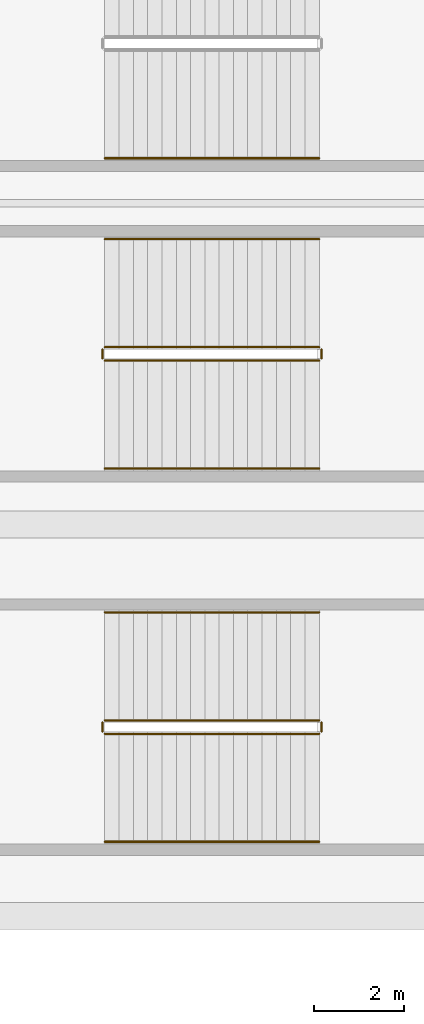
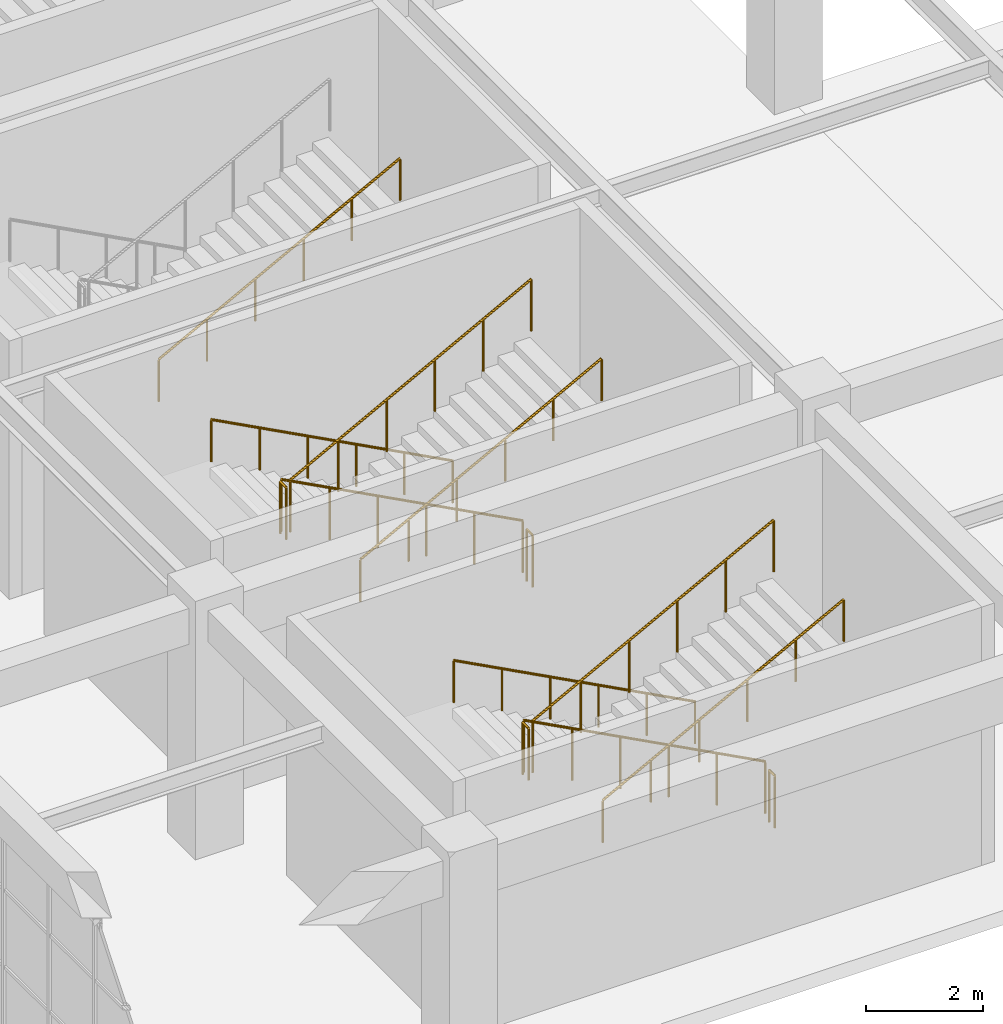
# One storey, part 91 of 120: 13 railings.
"""IFC4 building model written with IfcOpenShell, lengths in metres."""

from ifc_helpers import new_model, si_unit, direction, frame, origin, origin_2d, place, context, subcontext, project, spatial, circle, extrude, material, type_object, element, save


model = new_model("IFC4")

# Units and contexts
model_context = context("Model", 3, precision=1e-05, world=origin(), true_north=direction((0.0, 1.0)))
body_context = subcontext(model_context, "Body", "Model", "MODEL_VIEW")
ifc_project = project(units=[si_unit("LENGTHUNIT", "METRE"), si_unit("AREAUNIT", "SQUARE_METRE"), si_unit("VOLUMEUNIT", "CUBIC_METRE"), si_unit("PLANEANGLEUNIT", "RADIAN"), si_unit("MASSUNIT", "GRAM", prefix="KILO")], contexts=[model_context])

# Site, building, storey
site_placement = place(None, origin())
site = spatial("IfcSite", under=ifc_project, at=site_placement, CompositionType="ELEMENT")
building_placement = place(site_placement, origin())
building = spatial("IfcBuilding", under=site, at=building_placement, Name="Cuetzalor Civic Arena", CompositionType="ELEMENT")
storey_placement = place(building_placement, frame((0.0, 0.0, 6.0)))
storey = spatial("IfcBuildingStorey", under=building, at=storey_placement, Name="L01", CompositionType="ELEMENT", Elevation=6.0)

# Railings
ifc_material_1 = material(Name="Reseda-green architectural Steel S355 balustrade", Category="steel")
railing_type_1 = type_object("IfcRailingType", Name="InteriorVoidBalustrade_1100", PredefinedType="BALUSTRADE", material=ifc_material_1)
railing_1_placement = place(storey_placement, frame((-67.449951171875, -52.64990234375, 0.168701171875)))
element("IfcRailing", 1, at=railing_1_placement, inside=storey, type_object=railing_type_1, Name="L01 ST-13 stair guard 1", PredefinedType="BALUSTRADE", context=body_context, shape_type="SweptSolid", body=[
    extrude(circle(Radius=0.02392578125, at=origin_2d()), frame((0.0, 0.0, 1.0810546875), z_axis=(-0.883332211103, 0.0, 0.468747485143), x_axis=(0.0, -1.0, 0.0)), (0.0, 0.0, 1.0), 5.400146484375),
    extrude(circle(Radius=0.02099609375, at=origin_2d()), origin(), (0.0, 0.0, 1.0), 1.056884765625),
    extrude(circle(Radius=0.02099609375, at=origin_2d()), frame((-0.9541015625, 0.0, 0.50634765625)), (0.0, 0.0, 1.0), 1.056884765625),
    extrude(circle(Radius=0.02099609375, at=origin_2d()), frame((-1.907958984375, 0.0, 1.012451171875)), (0.0, 0.0, 1.0), 1.056884765625),
    extrude(circle(Radius=0.02099609375, at=origin_2d()), frame((-2.862060546875, 0.0, 1.518798828125)), (0.0, 0.0, 1.0), 1.056884765625),
    extrude(circle(Radius=0.02099609375, at=origin_2d()), frame((-3.81591796875, 0.0, 2.02490234375)), (0.0, 0.0, 1.0), 1.056884765625),
    extrude(circle(Radius=0.02099609375, at=origin_2d()), frame((-4.77001953125, 0.0, 2.53125)), (0.0, 0.0, 1.0), 1.056884765625),
])
railing_2_placement = place(storey_placement, frame((-72.27001953125, -52.699951171875, 2.699951171875)))
element("IfcRailing", 2, at=railing_2_placement, inside=storey, type_object=railing_type_1, Name="L01 ST-13 stair guard 2", PredefinedType="BALUSTRADE", context=body_context, shape_type="SweptSolid", body=[
    extrude(circle(Radius=0.02392578125, at=origin_2d()), frame((0.0, 0.0, 1.0810546875), z_axis=(0.0, -1.0, 0.0), x_axis=(1.0, 0.0, 0.0)), (0.0, 0.0, 1.0), 0.199951171875),
    extrude(circle(Radius=0.02099609375, at=origin_2d()), origin(), (0.0, 0.0, 1.0), 1.056884765625),
    extrude(circle(Radius=0.02099609375, at=origin_2d()), frame((0.0, -0.199951171875, 0.0)), (0.0, 0.0, 1.0), 1.056884765625),
])
railing_3_placement = place(storey_placement, frame((-72.219970703125, -52.949951171875, 2.86865234375)))
element("IfcRailing", 3, at=railing_3_placement, inside=storey, type_object=railing_type_1, Name="L01 ST-13 stair guard 3", PredefinedType="BALUSTRADE", context=body_context, shape_type="SweptSolid", body=[
    extrude(circle(Radius=0.02392578125, at=origin_2d()), frame((0.0, 0.0, 1.0810546875), z_axis=(0.883332211103, 0.0, 0.468747485143), x_axis=(0.0, 1.0, 0.0)), (0.0, 0.0, 1.0), 5.400146484375),
    extrude(circle(Radius=0.02099609375, at=origin_2d()), origin(), (0.0, 0.0, 1.0), 1.056884765625),
    extrude(circle(Radius=0.02099609375, at=origin_2d()), frame((0.9541015625, 0.0, 0.50634765625)), (0.0, 0.0, 1.0), 1.056884765625),
    extrude(circle(Radius=0.02099609375, at=origin_2d()), frame((1.907958984375, 0.0, 1.012451171875)), (0.0, 0.0, 1.0), 1.056884765625),
    extrude(circle(Radius=0.02099609375, at=origin_2d()), frame((2.862060546875, 0.0, 1.518798828125)), (0.0, 0.0, 1.0), 1.056884765625),
    extrude(circle(Radius=0.02099609375, at=origin_2d()), frame((3.81591796875, 0.0, 2.02490234375)), (0.0, 0.0, 1.0), 1.056884765625),
    extrude(circle(Radius=0.02099609375, at=origin_2d()), frame((4.77001953125, 0.0, 2.53125)), (0.0, 0.0, 1.0), 1.056884765625),
])
railing_4_placement = place(storey_placement, frame((-67.39990234375, -52.699951171875, 0.0)))
element("IfcRailing", 4, at=railing_4_placement, inside=storey, type_object=railing_type_1, Name="L01 ST-13 stair guard 4", PredefinedType="BALUSTRADE", context=body_context, shape_type="SweptSolid", body=[
    extrude(circle(Radius=0.02392578125, at=origin_2d()), frame((0.0, 0.0, 1.0810546875), z_axis=(0.0, -1.0, 0.0), x_axis=(1.0, 0.0, 0.0)), (0.0, 0.0, 1.0), 0.199951171875),
    extrude(circle(Radius=0.02099609375, at=origin_2d()), origin(), (0.0, 0.0, 1.0), 1.056884765625),
    extrude(circle(Radius=0.02099609375, at=origin_2d()), frame((0.0, -0.199951171875, 0.0)), (0.0, 0.0, 1.0), 1.056884765625),
])
railing_5_placement = place(storey_placement, frame((-67.449951171875, -44.35009765625, 0.168701171875)))
element("IfcRailing", 5, at=railing_5_placement, inside=storey, type_object=railing_type_1, Name="L01 ST-14 stair guard 1", PredefinedType="BALUSTRADE", context=body_context, shape_type="SweptSolid", body=[
    extrude(circle(Radius=0.02392578125, at=origin_2d()), frame((0.0, 0.0, 1.0810546875), z_axis=(-0.883332211103, 0.0, 0.468747485143), x_axis=(0.0, -1.0, 0.0)), (0.0, 0.0, 1.0), 5.400146484375),
    extrude(circle(Radius=0.02099609375, at=origin_2d()), origin(), (0.0, 0.0, 1.0), 1.056884765625),
    extrude(circle(Radius=0.02099609375, at=origin_2d()), frame((-0.9541015625, 0.0, 0.50634765625)), (0.0, 0.0, 1.0), 1.056884765625),
    extrude(circle(Radius=0.02099609375, at=origin_2d()), frame((-1.907958984375, 0.0, 1.012451171875)), (0.0, 0.0, 1.0), 1.056884765625),
    extrude(circle(Radius=0.02099609375, at=origin_2d()), frame((-2.862060546875, 0.0, 1.518798828125)), (0.0, 0.0, 1.0), 1.056884765625),
    extrude(circle(Radius=0.02099609375, at=origin_2d()), frame((-3.81591796875, 0.0, 2.02490234375)), (0.0, 0.0, 1.0), 1.056884765625),
    extrude(circle(Radius=0.02099609375, at=origin_2d()), frame((-4.77001953125, 0.0, 2.53125)), (0.0, 0.0, 1.0), 1.056884765625),
])
railing_6_placement = place(storey_placement, frame((-72.27001953125, -44.39990234375, 2.699951171875)))
element("IfcRailing", 6, at=railing_6_placement, inside=storey, type_object=railing_type_1, Name="L01 ST-14 stair guard 2", PredefinedType="BALUSTRADE", context=body_context, shape_type="SweptSolid", body=[
    extrude(circle(Radius=0.02392578125, at=origin_2d()), frame((0.0, 0.0, 1.0810546875), z_axis=(0.0, -1.0, 0.0), x_axis=(1.0, 0.0, 0.0)), (0.0, 0.0, 1.0), 0.2001953125),
    extrude(circle(Radius=0.02099609375, at=origin_2d()), origin(), (0.0, 0.0, 1.0), 1.056884765625),
    extrude(circle(Radius=0.02099609375, at=origin_2d()), frame((0.0, -0.2001953125, 0.0)), (0.0, 0.0, 1.0), 1.056884765625),
])
railing_7_placement = place(storey_placement, frame((-72.219970703125, -44.64990234375, 2.86865234375)))
element("IfcRailing", 7, at=railing_7_placement, inside=storey, type_object=railing_type_1, Name="L01 ST-14 stair guard 3", PredefinedType="BALUSTRADE", context=body_context, shape_type="SweptSolid", body=[
    extrude(circle(Radius=0.02392578125, at=origin_2d()), frame((0.0, 0.0, 1.0810546875), z_axis=(0.883332211103, 0.0, 0.468747485143), x_axis=(0.0, 1.0, 0.0)), (0.0, 0.0, 1.0), 5.400146484375),
    extrude(circle(Radius=0.02099609375, at=origin_2d()), origin(), (0.0, 0.0, 1.0), 1.056884765625),
    extrude(circle(Radius=0.02099609375, at=origin_2d()), frame((0.9541015625, 0.0, 0.50634765625)), (0.0, 0.0, 1.0), 1.056884765625),
    extrude(circle(Radius=0.02099609375, at=origin_2d()), frame((1.907958984375, 0.0, 1.012451171875)), (0.0, 0.0, 1.0), 1.056884765625),
    extrude(circle(Radius=0.02099609375, at=origin_2d()), frame((2.862060546875, 0.0, 1.518798828125)), (0.0, 0.0, 1.0), 1.056884765625),
    extrude(circle(Radius=0.02099609375, at=origin_2d()), frame((3.81591796875, 0.0, 2.02490234375)), (0.0, 0.0, 1.0), 1.056884765625),
    extrude(circle(Radius=0.02099609375, at=origin_2d()), frame((4.77001953125, 0.0, 2.53125)), (0.0, 0.0, 1.0), 1.056884765625),
])
railing_8_placement = place(storey_placement, frame((-67.39990234375, -44.39990234375, 0.0)))
element("IfcRailing", 8, at=railing_8_placement, inside=storey, type_object=railing_type_1, Name="L01 ST-14 stair guard 4", PredefinedType="BALUSTRADE", context=body_context, shape_type="SweptSolid", body=[
    extrude(circle(Radius=0.02392578125, at=origin_2d()), frame((0.0, 0.0, 1.0810546875), z_axis=(0.0, -1.0, 0.0), x_axis=(1.0, 0.0, 0.0)), (0.0, 0.0, 1.0), 0.2001953125),
    extrude(circle(Radius=0.02099609375, at=origin_2d()), origin(), (0.0, 0.0, 1.0), 1.056884765625),
    extrude(circle(Radius=0.02099609375, at=origin_2d()), frame((0.0, -0.2001953125, 0.0)), (0.0, 0.0, 1.0), 1.056884765625),
])
ifc_material_2 = material(Name="Galvanised steel S355", Category="steel")
railing_type_2 = type_object("IfcRailingType", Name="StairPitchHandrail_900", PredefinedType="HANDRAIL", material=ifc_material_2)
railing_9_placement = place(storey_placement, frame((-67.449951171875, -50.25, 0.168701171875)))
element("IfcRailing", 9, at=railing_9_placement, inside=storey, type_object=railing_type_2, Name="L01 ST-13 stair handrail 1", PredefinedType="HANDRAIL", context=body_context, shape_type="SweptSolid", body=[
    extrude(circle(Radius=0.02392578125, at=origin_2d()), frame((0.0, 0.0, 0.8759765625), z_axis=(-0.883332211103, 0.0, 0.468747485143), x_axis=(0.0, -1.0, 0.0)), (0.0, 0.0, 1.0), 5.400146484375),
    extrude(circle(Radius=0.02099609375, at=origin_2d()), origin(), (0.0, 0.0, 1.0), 0.851806640625),
    extrude(circle(Radius=0.02099609375, at=origin_2d()), frame((-0.9541015625, 0.0, 0.50634765625)), (0.0, 0.0, 1.0), 0.851806640625),
    extrude(circle(Radius=0.02099609375, at=origin_2d()), frame((-1.907958984375, 0.0, 1.012451171875)), (0.0, 0.0, 1.0), 0.851806640625),
    extrude(circle(Radius=0.02099609375, at=origin_2d()), frame((-2.862060546875, 0.0, 1.518798828125)), (0.0, 0.0, 1.0), 0.851806640625),
    extrude(circle(Radius=0.02099609375, at=origin_2d()), frame((-3.81591796875, 0.0, 2.02490234375)), (0.0, 0.0, 1.0), 0.851806640625),
    extrude(circle(Radius=0.02099609375, at=origin_2d()), frame((-4.77001953125, 0.0, 2.53125)), (0.0, 0.0, 1.0), 0.851806640625),
])
railing_10_placement = place(storey_placement, frame((-72.219970703125, -55.35009765625, 2.86865234375)))
element("IfcRailing", 10, at=railing_10_placement, inside=storey, type_object=railing_type_2, Name="L01 ST-13 stair handrail 2", PredefinedType="HANDRAIL", context=body_context, shape_type="SweptSolid", body=[
    extrude(circle(Radius=0.02392578125, at=origin_2d()), frame((0.0, 0.0, 0.8759765625), z_axis=(0.883332211103, 0.0, 0.468747485143), x_axis=(0.0, 1.0, 0.0)), (0.0, 0.0, 1.0), 5.400146484375),
    extrude(circle(Radius=0.02099609375, at=origin_2d()), origin(), (0.0, 0.0, 1.0), 0.851806640625),
    extrude(circle(Radius=0.02099609375, at=origin_2d()), frame((0.9541015625, 0.0, 0.50634765625)), (0.0, 0.0, 1.0), 0.851806640625),
    extrude(circle(Radius=0.02099609375, at=origin_2d()), frame((1.907958984375, 0.0, 1.012451171875)), (0.0, 0.0, 1.0), 0.851806640625),
    extrude(circle(Radius=0.02099609375, at=origin_2d()), frame((2.862060546875, 0.0, 1.518798828125)), (0.0, 0.0, 1.0), 0.851806640625),
    extrude(circle(Radius=0.02099609375, at=origin_2d()), frame((3.81591796875, 0.0, 2.02490234375)), (0.0, 0.0, 1.0), 0.851806640625),
    extrude(circle(Radius=0.02099609375, at=origin_2d()), frame((4.77001953125, 0.0, 2.53125)), (0.0, 0.0, 1.0), 0.851806640625),
])
railing_11_placement = place(storey_placement, frame((-67.449951171875, -41.949951171875, 0.168701171875)))
element("IfcRailing", 11, at=railing_11_placement, inside=storey, type_object=railing_type_2, Name="L01 ST-14 stair handrail 1", PredefinedType="HANDRAIL", context=body_context, shape_type="SweptSolid", body=[
    extrude(circle(Radius=0.02392578125, at=origin_2d()), frame((0.0, 0.0, 0.8759765625), z_axis=(-0.883332211103, 0.0, 0.468747485143), x_axis=(0.0, -1.0, 0.0)), (0.0, 0.0, 1.0), 5.400146484375),
    extrude(circle(Radius=0.02099609375, at=origin_2d()), origin(), (0.0, 0.0, 1.0), 0.851806640625),
    extrude(circle(Radius=0.02099609375, at=origin_2d()), frame((-0.9541015625, 0.0, 0.50634765625)), (0.0, 0.0, 1.0), 0.851806640625),
    extrude(circle(Radius=0.02099609375, at=origin_2d()), frame((-1.907958984375, 0.0, 1.012451171875)), (0.0, 0.0, 1.0), 0.851806640625),
    extrude(circle(Radius=0.02099609375, at=origin_2d()), frame((-2.862060546875, 0.0, 1.518798828125)), (0.0, 0.0, 1.0), 0.851806640625),
    extrude(circle(Radius=0.02099609375, at=origin_2d()), frame((-3.81591796875, 0.0, 2.02490234375)), (0.0, 0.0, 1.0), 0.851806640625),
    extrude(circle(Radius=0.02099609375, at=origin_2d()), frame((-4.77001953125, 0.0, 2.53125)), (0.0, 0.0, 1.0), 0.851806640625),
])
for number, where, name in (
    (12, (-72.219970703125, -47.050048828125, 2.86865234375), "L01 ST-14 stair handrail 2"),
    (13, (-72.219970703125, -40.14990234375, 2.86865234375), "L01 ST-15 stair handrail 2"),
):
    element("IfcRailing", number, at=place(storey_placement, frame(where)), inside=storey, type_object=railing_type_2, Name=name, PredefinedType="HANDRAIL", context=body_context, shape_type="SweptSolid", body=[
        extrude(circle(Radius=0.02392578125, at=origin_2d()), frame((0.0, 0.0, 0.8759765625), z_axis=(0.883332211103, 0.0, 0.468747485143), x_axis=(0.0, 1.0, 0.0)), (0.0, 0.0, 1.0), 5.400146484375),
        extrude(circle(Radius=0.02099609375, at=origin_2d()), origin(), (0.0, 0.0, 1.0), 0.851806640625),
        extrude(circle(Radius=0.02099609375, at=origin_2d()), frame((0.9541015625, 0.0, 0.50634765625)), (0.0, 0.0, 1.0), 0.851806640625),
        extrude(circle(Radius=0.02099609375, at=origin_2d()), frame((1.907958984375, 0.0, 1.012451171875)), (0.0, 0.0, 1.0), 0.851806640625),
        extrude(circle(Radius=0.02099609375, at=origin_2d()), frame((2.862060546875, 0.0, 1.518798828125)), (0.0, 0.0, 1.0), 0.851806640625),
        extrude(circle(Radius=0.02099609375, at=origin_2d()), frame((3.81591796875, 0.0, 2.02490234375)), (0.0, 0.0, 1.0), 0.851806640625),
        extrude(circle(Radius=0.02099609375, at=origin_2d()), frame((4.77001953125, 0.0, 2.53125)), (0.0, 0.0, 1.0), 0.851806640625),
    ])

save(model, "model.ifc")
